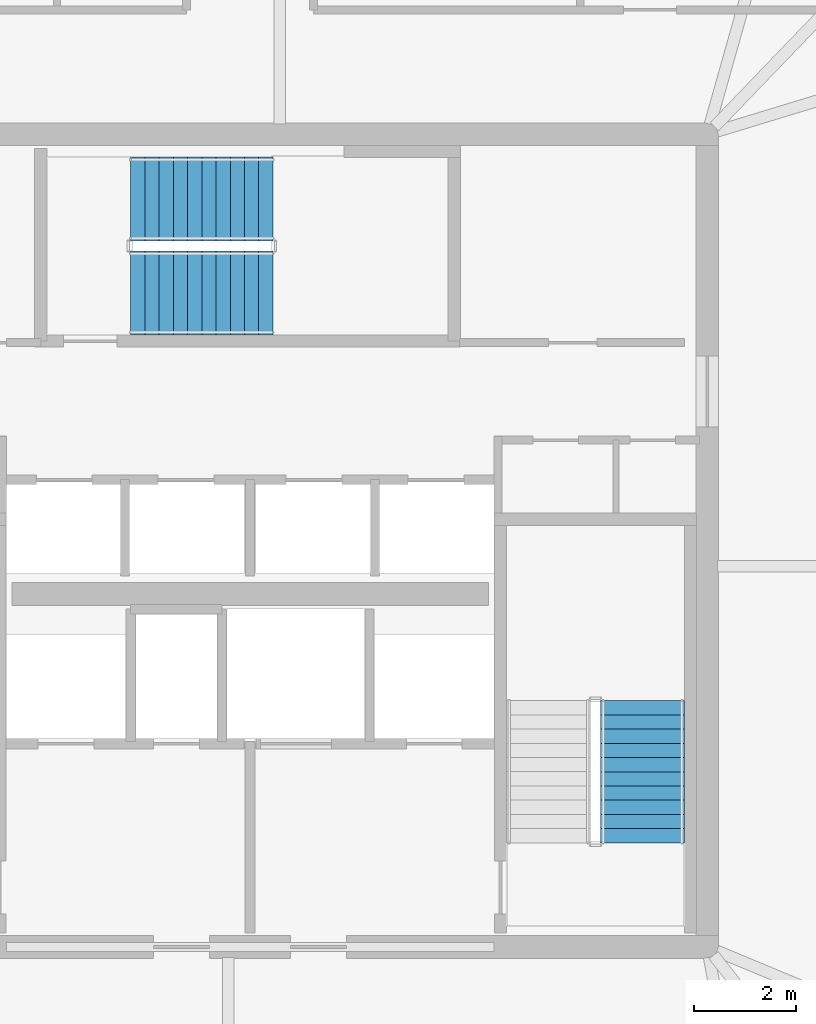
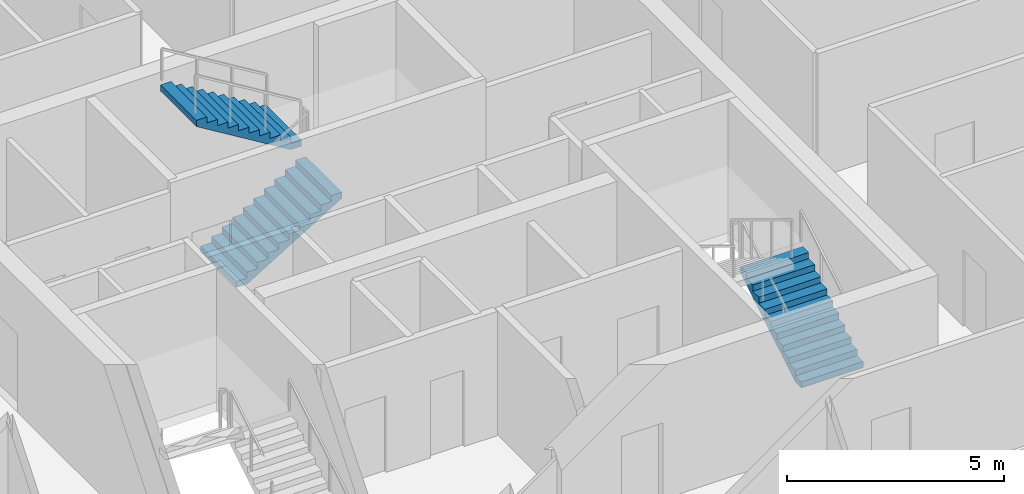
# One storey, part 23 of 26: 3 stair flights, 2 elements without a shape of their own.
"""IFC4 building model written with IfcOpenShell, lengths in metres."""

from ifc_helpers import new_model, si_unit, direction, frame, origin, place, context, subcontext, project, spatial, polyline, outline, extrude, material, type_object, element, aggregate, save


model = new_model("IFC4")

# Units and contexts
model_context = context("Model", 3, precision=1e-05, world=origin(), true_north=direction((0.0, 1.0)))
body_context = subcontext(model_context, "Body", "Model", "MODEL_VIEW")
ifc_project = project(units=[si_unit("LENGTHUNIT", "METRE"), si_unit("AREAUNIT", "SQUARE_METRE"), si_unit("VOLUMEUNIT", "CUBIC_METRE"), si_unit("PLANEANGLEUNIT", "RADIAN"), si_unit("MASSUNIT", "GRAM", prefix="KILO")], contexts=[model_context])

# Site, building, storey
site_placement = place(None, origin())
site = spatial("IfcSite", under=ifc_project, at=site_placement, CompositionType="ELEMENT")
building_placement = place(site_placement, origin())
building = spatial("IfcBuilding", under=site, at=building_placement, Name="Haldenkirk Collegiate Tower", CompositionType="ELEMENT")
storey_placement = place(building_placement, frame((0.0, 0.0, 321.449951171875)))
storey = spatial("IfcBuildingStorey", under=building, at=storey_placement, Name="L81", CompositionType="ELEMENT", Elevation=321.449951171875)

# Stair, stair flight
ifc_material = material(Name="Concrete f'c 40 MPa", Category="concrete")
stair_type = type_object("IfcStairType", Name="STR-DOGLEG-1650", PredefinedType="HALF_TURN_STAIR", material=ifc_material)
stair_1_placement = place(storey_placement, origin())
stair_1 = element("IfcStair", 1, at=stair_1_placement, inside=storey, type_object=stair_type, Name="L81 Core Exit Stair ST-2", PredefinedType="HALF_TURN_STAIR")
stair_flight_type = type_object("IfcStairFlightType", Name="STF-FLIGHT-1650", PredefinedType="STRAIGHT", material=ifc_material)
stair_flight_1_placement = place(storey_placement, frame((43.72509765625, 20.050048828125, 0.0), z_axis=(0.0, 0.0, 1.0), x_axis=(0.0, 1.0, 0.0)))
stair_flight_1 = element("IfcStairFlight", 2, at=stair_flight_1_placement, type_object=stair_flight_type, Name="ST-2 flight 1", NumberOfRisers=11, NumberOfTreads=10, PredefinedType="STRAIGHT", RiserHeight=0.170454545, TreadLength=0.28, context=body_context, shape_type="SweptSolid", body=[
    extrude(outline(polyline([(0.0, 0.0), (0.0, 0.17041015625), (0.280029296875, 0.17041015625), (0.280029296875, 0.3408203125), (0.56005859375, 0.3408203125), (0.56005859375, 0.511474609375), (0.840087890625, 0.511474609375), (0.840087890625, 0.681884765625), (1.1201171875, 0.681884765625), (1.1201171875, 0.852294921875), (1.39990234375, 0.852294921875), (1.39990234375, 1.022705078125), (1.679931640625, 1.022705078125), (1.679931640625, 1.193115234375), (1.9599609375, 1.193115234375), (1.9599609375, 1.363525390625), (2.239990234375, 1.363525390625), (2.239990234375, 1.5341796875), (2.52001953125, 1.5341796875), (2.52001953125, 1.70458984375), (2.800048828125, 1.70458984375), (2.800048828125, 1.875), (2.800048828125, 1.529052734375), (0.288330078125, 0.0), (0.0, 0.0)])), frame((0.0, 0.824951171875, 0.0), z_axis=(0.0, -1.0, 0.0), x_axis=(1.0, 0.0, 0.0)), (0.0, 0.0, 1.0), 1.64990234375),
])
aggregate(stair_1, [stair_flight_1])

# Stair, stair flights
stair_2_placement = place(storey_placement, origin())
stair_2 = element("IfcStair", 3, at=stair_2_placement, inside=storey, type_object=stair_type, Name="L81 Core Exit Stair ST-3", PredefinedType="HALF_TURN_STAIR")
stair_flight_2_placement = place(storey_placement, frame((33.64990234375, 30.875, 0.0), z_axis=(0.0, 0.0, 1.0), x_axis=(1.0, 0.0, 0.0)))
stair_flight_2 = element("IfcStairFlight", 4, at=stair_flight_2_placement, type_object=stair_flight_type, Name="ST-3 flight 1", NumberOfRisers=11, NumberOfTreads=10, PredefinedType="STRAIGHT", RiserHeight=0.170454545, TreadLength=0.28, context=body_context, shape_type="SweptSolid", body=[
    extrude(outline(polyline([(0.0, 0.0), (0.0, 0.17041015625), (0.280029296875, 0.17041015625), (0.280029296875, 0.3408203125), (0.56005859375, 0.3408203125), (0.56005859375, 0.511474609375), (0.840087890625, 0.511474609375), (0.840087890625, 0.681884765625), (1.1201171875, 0.681884765625), (1.1201171875, 0.852294921875), (1.39990234375, 0.852294921875), (1.39990234375, 1.022705078125), (1.679931640625, 1.022705078125), (1.679931640625, 1.193115234375), (1.9599609375, 1.193115234375), (1.9599609375, 1.363525390625), (2.239990234375, 1.363525390625), (2.239990234375, 1.5341796875), (2.52001953125, 1.5341796875), (2.52001953125, 1.70458984375), (2.800048828125, 1.70458984375), (2.800048828125, 1.875), (2.800048828125, 1.529052734375), (0.288330078125, 0.0), (0.0, 0.0)])), frame((0.0, 0.824951171875, 0.0), z_axis=(0.0, -1.0, 0.0), x_axis=(1.0, 0.0, 0.0)), (0.0, 0.0, 1.0), 1.64990234375),
])
stair_flight_3_placement = place(storey_placement, frame((36.449951171875, 32.72509765625, 1.875), z_axis=(0.0, 0.0, 1.0), x_axis=(-1.0, 0.0, 0.0)))
stair_flight_3 = element("IfcStairFlight", 5, at=stair_flight_3_placement, type_object=stair_flight_type, Name="ST-3 flight 2", NumberOfRisers=11, NumberOfTreads=10, PredefinedType="STRAIGHT", RiserHeight=0.170454545, TreadLength=0.28, context=body_context, shape_type="SweptSolid", body=[
    extrude(outline(polyline([(0.0, 0.0), (0.0, 0.17041015625), (0.280029296875, 0.17041015625), (0.280029296875, 0.3408203125), (0.56005859375, 0.3408203125), (0.56005859375, 0.511474609375), (0.840087890625, 0.511474609375), (0.840087890625, 0.681884765625), (1.1201171875, 0.681884765625), (1.1201171875, 0.852294921875), (1.39990234375, 0.852294921875), (1.39990234375, 1.022705078125), (1.679931640625, 1.022705078125), (1.679931640625, 1.193115234375), (1.9599609375, 1.193115234375), (1.9599609375, 1.363525390625), (2.239990234375, 1.363525390625), (2.239990234375, 1.5341796875), (2.52001953125, 1.5341796875), (2.52001953125, 1.70458984375), (2.800048828125, 1.70458984375), (2.800048828125, 1.875), (2.800048828125, 1.529052734375), (0.288330078125, 0.0), (0.0, 0.0)])), frame((0.0, 0.824951171875, 0.0), z_axis=(0.0, -1.0, 0.0), x_axis=(1.0, 0.0, 0.0)), (0.0, 0.0, 1.0), 1.64990234375),
])
aggregate(stair_2, [stair_flight_2, stair_flight_3])

save(model, "model.ifc")
